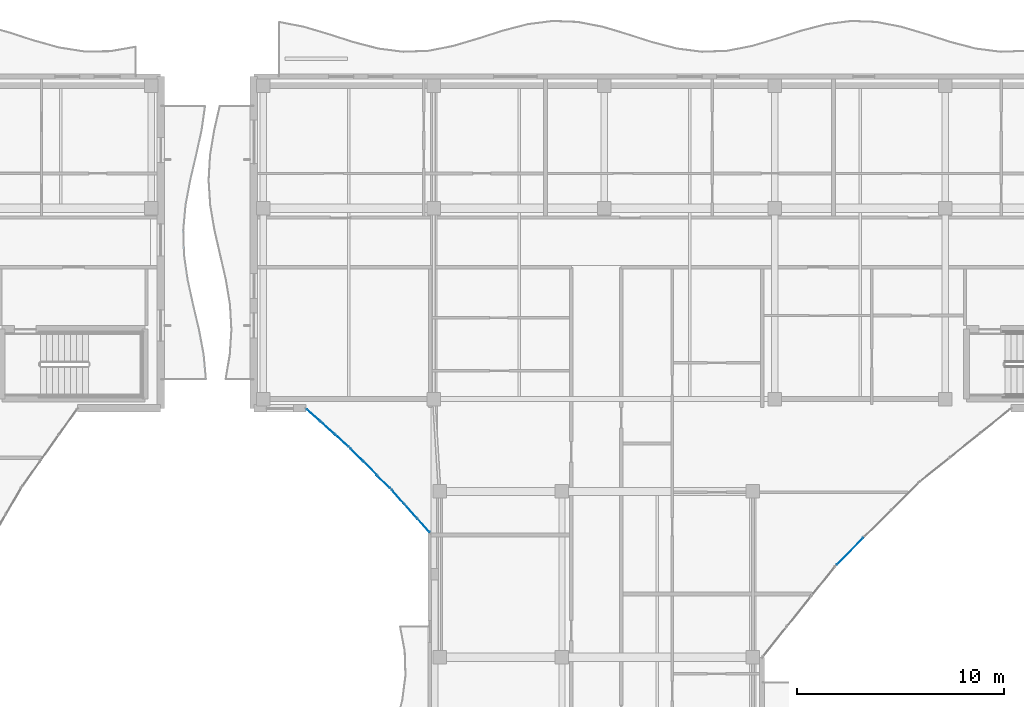
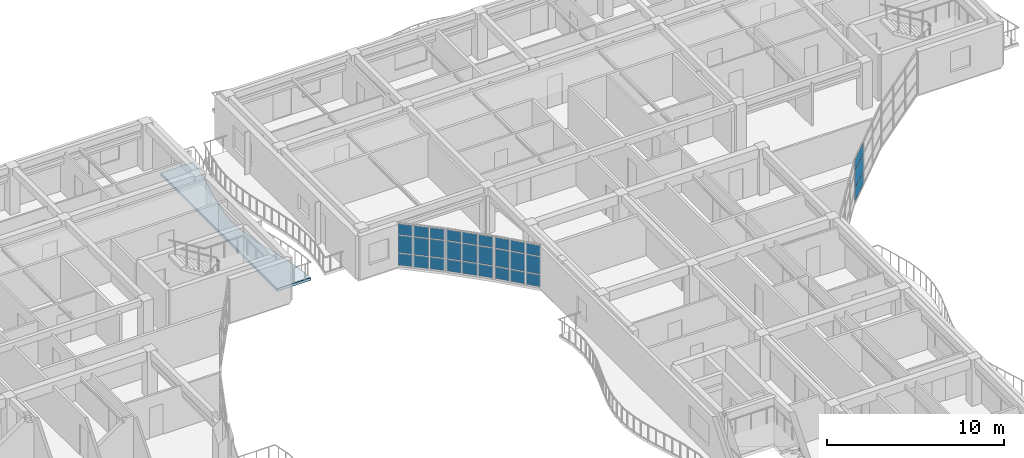
# One storey, part 39 of 89: 30 plates, 1 slab, 4 elements without a shape of their own.
"""IFC4 building model written with IfcOpenShell, lengths in metres."""

import ifcopenshell
import ifcopenshell.guid

model = None  # the IFC model being written
_history = None  # IfcOwnerHistory: only IFC2X3 demands one
_inside = {}  # id of a spatial element -> (the spatial element, [elements in it])
_under = {}  # id of a project, library or spatial element -> (it, [spatial elements below it])
_declared = {}  # id of a project -> (the project, [libraries it declares])
_typed = {}  # id of a type object -> (the type object, [elements of that type])
_made_of = {}  # id of a material, layer set ... -> (it, [elements and type objects made of it])


def new_model(schema):
    """Start an empty IFC model of exactly this schema.

    Asked for "IFC4X3", IfcOpenShell would pick the latest addendum, in which some entities
    have other attributes; the version numbers below select the first issue.
    IFC2X3 requires an IfcOwnerHistory on every rooted entity: one is made here for all.
    """
    global model, _history
    if schema == "IFC4X3":
        model = ifcopenshell.file(schema_version=(4, 3, 0, 0))
    else:
        model = ifcopenshell.file(schema=schema)
    _inside.clear()
    _under.clear()
    _declared.clear()
    _typed.clear()
    _made_of.clear()
    _history = None
    if model.schema == "IFC2X3":
        org = make("IfcOrganization", Name="unknown")
        user = make(
            "IfcPersonAndOrganization",
            ThePerson=make("IfcPerson", FamilyName="unknown"),
            TheOrganization=org,
        )
        app = make(
            "IfcApplication",
            ApplicationDeveloper=org,
            Version="unknown",
            ApplicationFullName="unknown",
            ApplicationIdentifier="unknown",
        )
        _history = make(
            "IfcOwnerHistory",
            OwningUser=user,
            OwningApplication=app,
            ChangeAction="ADDED",
            CreationDate=0,
        )
    return model


def make(cls, **values):
    """One entity of the class cls with the attributes given. An attribute that is None is left unset."""
    return model.create_entity(
        cls, **{name: value for name, value in values.items() if value is not None}
    )


def rooted(cls, **values):
    """An entity with a GlobalId (a new one), such as an element, a storey or a relation."""
    return make(cls, GlobalId=ifcopenshell.guid.new(), OwnerHistory=_history, **values)


def si_unit(unit_type, name, prefix=None):
    """IfcSIUnit, for example si_unit("LENGTHUNIT", "METRE", prefix="MILLI")."""
    return make("IfcSIUnit", UnitType=unit_type, Prefix=prefix, Name=name)


def assignment(units):
    """IfcUnitAssignment: the units of a project."""
    return None if units is None else make("IfcUnitAssignment", Units=units)


def point(xyz):
    """IfcCartesianPoint."""
    return None if xyz is None else make("IfcCartesianPoint", Coordinates=xyz)


def direction(xyz):
    """IfcDirection."""
    return None if xyz is None else make("IfcDirection", DirectionRatios=xyz)


def frame(location, z_axis=None, x_axis=None):
    """IfcAxis2Placement3D, a coordinate frame: its origin and axes. An axis left out is left unset."""
    return make(
        "IfcAxis2Placement3D",
        Location=point(location),
        Axis=direction(z_axis),
        RefDirection=direction(x_axis),
    )


def frame_2d(location, x_axis=None):
    """IfcAxis2Placement2D, a coordinate frame in the plane: its origin and x axis."""
    return make(
        "IfcAxis2Placement2D", Location=point(location), RefDirection=direction(x_axis)
    )


def origin():
    """The frame at (0, 0, 0) with its axes left unset."""
    return frame((0.0, 0.0, 0.0))


def origin_2d():
    """The frame at (0, 0) in the plane with its x axis left unset."""
    return frame_2d((0.0, 0.0))


def place(relative_to, where):
    """IfcLocalPlacement: puts the frame where relative to a parent placement (None: the world)."""
    return make(
        "IfcLocalPlacement", PlacementRelTo=relative_to, RelativePlacement=where
    )


def context(
    kind, dimensions, precision=None, world=None, true_north=None, identifier=None
):
    """IfcGeometricRepresentationContext, for example the 3D "Model" context."""
    return make(
        "IfcGeometricRepresentationContext",
        ContextIdentifier=identifier,
        ContextType=kind,
        CoordinateSpaceDimension=dimensions,
        Precision=precision,
        WorldCoordinateSystem=world,
        TrueNorth=true_north,
    )


def subcontext(parent, identifier, kind, view, scale=None):
    """IfcGeometricRepresentationSubContext, for example "Body" below "Model"."""
    return make(
        "IfcGeometricRepresentationSubContext",
        ContextIdentifier=identifier,
        ContextType=kind,
        ParentContext=parent,
        TargetScale=scale,
        TargetView=view,
    )


def project(units=None, contexts=None):
    """IfcProject with its units and contexts."""
    return rooted(
        "IfcProject",
        Name="project",
        RepresentationContexts=contexts,
        UnitsInContext=assignment(units),
    )


def spatial(cls, under=None, at=None, **own):
    """A site, building, storey or space (cls), placed at a placement, below another one or the project."""
    s = rooted(cls, ObjectPlacement=at, **own)
    if under is not None:
        _under.setdefault(under.id(), (under, []))[1].append(s)
    return s


def polyline(points):
    """IfcPolyline through the points."""
    return make("IfcPolyline", Points=[point(p) for p in points])


def profile(cls, at=None, kind="AREA", **sizes):
    """A parametric profile (cls). Its sizes go by their IFC names, for example OverallWidth=200.0."""
    return make(cls, ProfileType=kind, Position=at, **sizes)


def rectangle(**sizes):
    """IfcRectangleProfileDef."""
    return profile("IfcRectangleProfileDef", **sizes)


def outline(outer, holes=None, kind="AREA"):
    """IfcArbitraryClosedProfileDef: a profile drawn as a closed curve; with holes, ...WithVoids."""
    if holes is None:
        return make("IfcArbitraryClosedProfileDef", ProfileType=kind, OuterCurve=outer)
    return make(
        "IfcArbitraryProfileDefWithVoids",
        ProfileType=kind,
        OuterCurve=outer,
        InnerCurves=holes,
    )


def extrude(swept, where, along, depth):
    """IfcExtrudedAreaSolid: the profile swept, set in the frame where, extruded along a direction by depth."""
    return make(
        "IfcExtrudedAreaSolid",
        SweptArea=swept,
        Position=where,
        ExtrudedDirection=direction(along),
        Depth=depth,
    )


def shape(context_of_items, identifier, shape_type, items):
    """IfcShapeRepresentation: the items that make up one representation, for example the "Body"."""
    return make(
        "IfcShapeRepresentation",
        ContextOfItems=context_of_items,
        RepresentationIdentifier=identifier,
        RepresentationType=shape_type,
        Items=items,
    )


def material(Name=None, Category=None):
    """IfcMaterial."""
    return make("IfcMaterial", Name=Name, Category=Category)


def layer(
    of_material, thickness, ventilated=None, Name=None, Category=None, Priority=None
):
    """IfcMaterialLayer: one layer of a wall or slab, of a material (None: an air gap)."""
    return make(
        "IfcMaterialLayer",
        Material=of_material,
        LayerThickness=thickness,
        IsVentilated=ventilated,
        Name=Name,
        Category=Category,
        Priority=Priority,
    )


def layer_set(layers, Name=None):
    """IfcMaterialLayerSet."""
    return make("IfcMaterialLayerSet", MaterialLayers=layers, LayerSetName=Name)


def made_of(thing, what):
    """Note that an element or type object is made of a material, layer set ...; save() writes the relation."""
    if what is not None:
        _made_of.setdefault(what.id(), (what, []))[1].append(thing)
    return thing


def type_object(cls, material=None, **own):
    """A type object (cls), such as IfcWallType, which elements share."""
    return made_of(rooted(cls, **own), material)


def element(
    cls,
    number,
    at=None,
    inside=None,
    cuts=None,
    type_object=None,
    material=None,
    context=None,
    identifier="Body",
    shape_type=None,
    held_by="IfcProductDefinitionShape",
    body=None,
    shapes=None,
    **own,
):
    """One element of the class cls, such as IfcWall. Its Tag is "e" and its number.

    at: its placement. inside: the storey or other place that contains it. cuts: it is an
    opening in that element (IfcRelVoidsElement). A single representation is given by context,
    identifier, shape_type and body (its items); several are given by shapes. held_by: the class
    of the entity that holds the representations. save() writes the other relations.
    """
    e = rooted(cls, Tag="e%d" % number, ObjectPlacement=at, **own)
    if body is not None:
        shapes = [shape(context, identifier, shape_type, body)]
    if shapes is not None:
        e.Representation = make(held_by, Representations=shapes)
    if inside is not None:
        _inside.setdefault(inside.id(), (inside, []))[1].append(e)
    if cuts is not None:
        rooted(
            "IfcRelVoidsElement", RelatingBuildingElement=cuts, RelatedOpeningElement=e
        )
    if type_object is not None:
        _typed.setdefault(type_object.id(), (type_object, []))[1].append(e)
    return made_of(e, material)


def aggregate(whole, parts):
    """IfcRelAggregates: a whole, such as a stair, and the parts it consists of."""
    return rooted("IfcRelAggregates", RelatingObject=whole, RelatedObjects=parts)


def save(model, path):
    """Write the relations noted so far, then the file.

    IfcRelAggregates (storeys below a building ...), IfcRelContainedInSpatialStructure (elements
    in a storey), IfcRelDefinesByType, IfcRelAssociatesMaterial and IfcRelDeclares: one each for
    every whole, place, type object, material and project.
    """
    for whole, parts in _under.values():
        aggregate(whole, parts)
    for where, things in _inside.values():
        rooted(
            "IfcRelContainedInSpatialStructure",
            RelatedElements=things,
            RelatingStructure=where,
        )
    for kind, things in _typed.values():
        rooted("IfcRelDefinesByType", RelatedObjects=things, RelatingType=kind)
    for what, things in _made_of.values():
        rooted("IfcRelAssociatesMaterial", RelatedObjects=things, RelatingMaterial=what)
    for by, libraries in _declared.values():
        rooted("IfcRelDeclares", RelatingContext=by, RelatedDefinitions=libraries)
    model.write(path)


model = new_model("IFC4")

# Units and contexts
model_context = context("Model", 3, precision=1e-05, world=origin(), true_north=direction((0.0, 1.0)))
body_context = subcontext(model_context, "Body", "Model", "MODEL_VIEW")
ifc_project = project(units=[si_unit("LENGTHUNIT", "METRE"), si_unit("AREAUNIT", "SQUARE_METRE"), si_unit("VOLUMEUNIT", "CUBIC_METRE"), si_unit("PLANEANGLEUNIT", "RADIAN"), si_unit("MASSUNIT", "GRAM", prefix="KILO")], contexts=[model_context])

# Site, building, storey
site_placement = place(None, origin())
site = spatial("IfcSite", under=ifc_project, at=site_placement, CompositionType="ELEMENT")
building_placement = place(site_placement, origin())
building = spatial("IfcBuilding", under=site, at=building_placement, Name="Keldmere Railside Commons", CompositionType="ELEMENT")
storey_placement = place(building_placement, frame((0.0, 0.0, 7.360107421875)))
storey = spatial("IfcBuildingStorey", under=building, at=storey_placement, Name="L02", CompositionType="ELEMENT", Elevation=7.360107421875)

# Curtain wall, plates
ifc_material_1 = material(Name="Thermally Broken Aluminium", Category="aluminium")
ifc_layer_1 = layer(ifc_material_1, 0.159912109375, Name="Court Chord Wintergarden CW 4800x2850")
ifc_layer_set_1 = layer_set([ifc_layer_1], Name="Thermally Broken Aluminium")
curtain_wall_type_1 = type_object("IfcCurtainWallType", Name="Court Chord Wintergarden CW 4800x2850", PredefinedType="NOTDEFINED", material=ifc_layer_set_1)
curtain_wall_1_placement = place(storey_placement, origin())
curtain_wall_1 = element("IfcCurtainWall", 1, at=curtain_wall_1_placement, inside=storey, type_object=curtain_wall_type_1, Name="CW-12 CW-L02-040", PredefinedType="NOTDEFINED")
ifc_material_2 = material(Name="Low-E Insulated Double Glazing", Category="glass")
ifc_layer_2 = layer(ifc_material_2, 0.033935546875, Name="Acoustic Laminated Vision Panel 34")
ifc_layer_set_2 = layer_set([ifc_layer_2], Name="Low-E Insulated Double Glazing")
plate_type_1 = type_object("IfcPlateType", Name="Acoustic Laminated Vision Panel 34", PredefinedType="CURTAIN_PANEL", material=ifc_layer_set_2)
plate_1_placement = place(storey_placement, frame((43.74462890625, 98.435791015625, 0.06494140625), z_axis=(0.0, 0.0, 1.0), x_axis=(-0.744557333277, 0.667558519879, 0.0)))
plate_1 = element("IfcPlate", 2, at=plate_1_placement, type_object=plate_type_1, Name="CW-12 panel 1.1", PredefinedType="CURTAIN_PANEL", context=body_context, shape_type="SweptSolid", body=[
    extrude(rectangle(XDim=0.84619140625, YDim=0.033935546875, at=origin_2d()), origin(), (0.0, 0.0, 1.0), 0.802490234375),
])
plate_2_placement = place(storey_placement, frame((43.74462890625, 98.435791015625, 0.932373046875), z_axis=(0.0, 0.0, 1.0), x_axis=(-0.744557333277, 0.667558519879, 0.0)))
plate_2 = element("IfcPlate", 3, at=plate_2_placement, type_object=plate_type_1, Name="CW-12 panel 1.2", PredefinedType="CURTAIN_PANEL", context=body_context, shape_type="SweptSolid", body=[
    extrude(rectangle(XDim=0.84619140625, YDim=0.033935546875, at=origin_2d()), origin(), (0.0, 0.0, 1.0), 1.18505859375),
])
plate_3_placement = place(storey_placement, frame((43.74462890625, 98.435791015625, 2.182373046875), z_axis=(0.0, 0.0, 1.0), x_axis=(-0.744557333277, 0.667558519879, 0.0)))
plate_3 = element("IfcPlate", 4, at=plate_3_placement, type_object=plate_type_1, Name="CW-12 panel 1.3", PredefinedType="CURTAIN_PANEL", context=body_context, shape_type="SweptSolid", body=[
    extrude(rectangle(XDim=0.84619140625, YDim=0.033935546875, at=origin_2d()), origin(), (0.0, 0.0, 1.0), 0.732421875),
])
plate_4_placement = place(storey_placement, frame((43.053955078125, 99.054931640625, 0.06494140625), z_axis=(0.0, 0.0, 1.0), x_axis=(-0.744557333277, 0.667558519879, 0.0)))
plate_4 = element("IfcPlate", 5, at=plate_4_placement, type_object=plate_type_1, Name="CW-12 panel 2.1", PredefinedType="CURTAIN_PANEL", context=body_context, shape_type="SweptSolid", body=[
    extrude(rectangle(XDim=0.878662109375, YDim=0.033935546875, at=origin_2d()), origin(), (0.0, 0.0, 1.0), 0.802490234375),
])
plate_5_placement = place(storey_placement, frame((43.053955078125, 99.054931640625, 0.932373046875), z_axis=(0.0, 0.0, 1.0), x_axis=(-0.744557333277, 0.667558519879, 0.0)))
plate_5 = element("IfcPlate", 6, at=plate_5_placement, type_object=plate_type_1, Name="CW-12 panel 2.2", PredefinedType="CURTAIN_PANEL", context=body_context, shape_type="SweptSolid", body=[
    extrude(rectangle(XDim=0.878662109375, YDim=0.033935546875, at=origin_2d()), origin(), (0.0, 0.0, 1.0), 1.18505859375),
])
plate_6_placement = place(storey_placement, frame((43.053955078125, 99.054931640625, 2.182373046875), z_axis=(0.0, 0.0, 1.0), x_axis=(-0.744557333277, 0.667558519879, 0.0)))
plate_6 = element("IfcPlate", 7, at=plate_6_placement, type_object=plate_type_1, Name="CW-12 panel 2.3", PredefinedType="CURTAIN_PANEL", context=body_context, shape_type="SweptSolid", body=[
    extrude(rectangle(XDim=0.878662109375, YDim=0.033935546875, at=origin_2d()), origin(), (0.0, 0.0, 1.0), 0.732421875),
])
plate_7_placement = place(storey_placement, frame((42.363525390625, 99.674072265625, 0.06494140625), z_axis=(0.0, 0.0, 1.0), x_axis=(-0.744557333277, 0.667558519879, 0.0)))
plate_7 = element("IfcPlate", 8, at=plate_7_placement, type_object=plate_type_1, Name="CW-12 panel 3.1", PredefinedType="CURTAIN_PANEL", context=body_context, shape_type="SweptSolid", body=[
    extrude(rectangle(XDim=0.84619140625, YDim=0.033935546875, at=origin_2d()), origin(), (0.0, 0.0, 1.0), 0.802490234375),
])
plate_8_placement = place(storey_placement, frame((42.363525390625, 99.674072265625, 0.932373046875), z_axis=(0.0, 0.0, 1.0), x_axis=(-0.744557333277, 0.667558519879, 0.0)))
plate_8 = element("IfcPlate", 9, at=plate_8_placement, type_object=plate_type_1, Name="CW-12 panel 3.2", PredefinedType="CURTAIN_PANEL", context=body_context, shape_type="SweptSolid", body=[
    extrude(rectangle(XDim=0.84619140625, YDim=0.033935546875, at=origin_2d()), origin(), (0.0, 0.0, 1.0), 1.18505859375),
])
plate_9_placement = place(storey_placement, frame((42.363525390625, 99.674072265625, 2.182373046875), z_axis=(0.0, 0.0, 1.0), x_axis=(-0.744557333277, 0.667558519879, 0.0)))
plate_9 = element("IfcPlate", 10, at=plate_9_placement, type_object=plate_type_1, Name="CW-12 panel 3.3", PredefinedType="CURTAIN_PANEL", context=body_context, shape_type="SweptSolid", body=[
    extrude(rectangle(XDim=0.84619140625, YDim=0.033935546875, at=origin_2d()), origin(), (0.0, 0.0, 1.0), 0.732421875),
])
aggregate(curtain_wall_1, [plate_1, plate_2, plate_3, plate_4, plate_5, plate_6, plate_7, plate_8, plate_9])

ifc_layer_3 = layer(ifc_material_1, 0.159912109375, Name="Court Chord Wintergarden CW 5400x2850")
ifc_layer_set_3 = layer_set([ifc_layer_3], Name="Thermally Broken Aluminium")
curtain_wall_type_2 = type_object("IfcCurtainWallType", Name="Court Chord Wintergarden CW 5400x2850", PredefinedType="NOTDEFINED", material=ifc_layer_set_3)
curtain_wall_2_placement = place(storey_placement, origin())
curtain_wall_2 = element("IfcCurtainWall", 11, at=curtain_wall_2_placement, inside=storey, type_object=curtain_wall_type_2, Name="CW-13 CW-L02-038", PredefinedType="NOTDEFINED")
ifc_layer_4 = layer(ifc_material_2, 0.031982421875, Name="Clerestory Solar-Control Vision Panel 32")
ifc_layer_set_4 = layer_set([ifc_layer_4], Name="Low-E Insulated Double Glazing")
plate_type_2 = type_object("IfcPlateType", Name="Clerestory Solar-Control Vision Panel 32", PredefinedType="CURTAIN_PANEL", material=ifc_layer_set_4)
plate_10_placement = place(storey_placement, frame((68.23486328125, 93.11083984375, 0.06494140625), z_axis=(0.0, 0.0, 1.0), x_axis=(-0.707106781187, -0.707106781187, 0.0)))
plate_10 = element("IfcPlate", 12, at=plate_10_placement, type_object=plate_type_2, Name="CW-13 panel 3.1", PredefinedType="CURTAIN_PANEL", context=body_context, shape_type="SweptSolid", body=[
    extrude(rectangle(XDim=1.795654296875, YDim=0.031982421875, at=origin_2d()), origin(), (0.0, 0.0, 1.0), 0.802490234375),
])
plate_11_placement = place(storey_placement, frame((68.23486328125, 93.11083984375, 0.932373046875), z_axis=(0.0, 0.0, 1.0), x_axis=(-0.707106781187, -0.707106781187, 0.0)))
plate_11 = element("IfcPlate", 13, at=plate_11_placement, type_object=plate_type_2, Name="CW-13 panel 3.2", PredefinedType="CURTAIN_PANEL", context=body_context, shape_type="SweptSolid", body=[
    extrude(rectangle(XDim=1.795654296875, YDim=0.031982421875, at=origin_2d()), origin(), (0.0, 0.0, 1.0), 1.18505859375),
])
plate_12_placement = place(storey_placement, frame((68.23486328125, 93.11083984375, 2.182373046875), z_axis=(0.0, 0.0, 1.0), x_axis=(-0.707106781187, -0.707106781187, 0.0)))
plate_12 = element("IfcPlate", 14, at=plate_12_placement, type_object=plate_type_2, Name="CW-13 panel 3.3", PredefinedType="CURTAIN_PANEL", context=body_context, shape_type="SweptSolid", body=[
    extrude(rectangle(XDim=1.795654296875, YDim=0.031982421875, at=origin_2d()), origin(), (0.0, 0.0, 1.0), 0.732421875),
])
aggregate(curtain_wall_2, [plate_10, plate_11, plate_12])

curtain_wall_3_placement = place(storey_placement, origin())
curtain_wall_3 = element("IfcCurtainWall", 15, at=curtain_wall_3_placement, inside=storey, type_object=curtain_wall_type_2, Name="CW-13 CW-L02-041", PredefinedType="NOTDEFINED")
plate_13_placement = place(storey_placement, frame((45.764892578125, 96.453125, 0.06494140625), z_axis=(0.0, 0.0, 1.0), x_axis=(-0.707106781187, 0.707106781187, 0.0)))
plate_13 = element("IfcPlate", 16, at=plate_13_placement, type_object=plate_type_2, Name="CW-13 panel 1.1", PredefinedType="CURTAIN_PANEL", context=body_context, shape_type="SweptSolid", body=[
    extrude(rectangle(XDim=0.84619140625, YDim=0.031982421875, at=origin_2d()), origin(), (0.0, 0.0, 1.0), 0.802490234375),
])
plate_14_placement = place(storey_placement, frame((45.764892578125, 96.453125, 0.932373046875), z_axis=(0.0, 0.0, 1.0), x_axis=(-0.707106781187, 0.707106781187, 0.0)))
plate_14 = element("IfcPlate", 17, at=plate_14_placement, type_object=plate_type_2, Name="CW-13 panel 1.2", PredefinedType="CURTAIN_PANEL", context=body_context, shape_type="SweptSolid", body=[
    extrude(rectangle(XDim=0.84619140625, YDim=0.031982421875, at=origin_2d()), origin(), (0.0, 0.0, 1.0), 1.18505859375),
])
plate_15_placement = place(storey_placement, frame((45.764892578125, 96.453125, 2.182373046875), z_axis=(0.0, 0.0, 1.0), x_axis=(-0.707106781187, 0.707106781187, 0.0)))
plate_15 = element("IfcPlate", 18, at=plate_15_placement, type_object=plate_type_2, Name="CW-13 panel 1.3", PredefinedType="CURTAIN_PANEL", context=body_context, shape_type="SweptSolid", body=[
    extrude(rectangle(XDim=0.84619140625, YDim=0.031982421875, at=origin_2d()), origin(), (0.0, 0.0, 1.0), 0.732421875),
])
plate_16_placement = place(storey_placement, frame((45.10888671875, 97.10888671875, 0.06494140625), z_axis=(0.0, 0.0, 1.0), x_axis=(-0.707106781187, 0.707106781187, 0.0)))
plate_16 = element("IfcPlate", 19, at=plate_16_placement, type_object=plate_type_2, Name="CW-13 panel 2.1", PredefinedType="CURTAIN_PANEL", context=body_context, shape_type="SweptSolid", body=[
    extrude(rectangle(XDim=0.878662109375, YDim=0.031982421875, at=origin_2d()), origin(), (0.0, 0.0, 1.0), 0.802490234375),
])
plate_17_placement = place(storey_placement, frame((45.10888671875, 97.10888671875, 0.932373046875), z_axis=(0.0, 0.0, 1.0), x_axis=(-0.707106781187, 0.707106781187, 0.0)))
plate_17 = element("IfcPlate", 20, at=plate_17_placement, type_object=plate_type_2, Name="CW-13 panel 2.2", PredefinedType="CURTAIN_PANEL", context=body_context, shape_type="SweptSolid", body=[
    extrude(rectangle(XDim=0.878662109375, YDim=0.031982421875, at=origin_2d()), origin(), (0.0, 0.0, 1.0), 1.18505859375),
])
plate_18_placement = place(storey_placement, frame((45.10888671875, 97.10888671875, 2.182373046875), z_axis=(0.0, 0.0, 1.0), x_axis=(-0.707106781187, 0.707106781187, 0.0)))
plate_18 = element("IfcPlate", 21, at=plate_18_placement, type_object=plate_type_2, Name="CW-13 panel 2.3", PredefinedType="CURTAIN_PANEL", context=body_context, shape_type="SweptSolid", body=[
    extrude(rectangle(XDim=0.878662109375, YDim=0.031982421875, at=origin_2d()), origin(), (0.0, 0.0, 1.0), 0.732421875),
])
plate_19_placement = place(storey_placement, frame((44.453125, 97.764892578125, 0.06494140625), z_axis=(0.0, 0.0, 1.0), x_axis=(-0.707106781187, 0.707106781187, 0.0)))
plate_19 = element("IfcPlate", 22, at=plate_19_placement, type_object=plate_type_2, Name="CW-13 panel 3.1", PredefinedType="CURTAIN_PANEL", context=body_context, shape_type="SweptSolid", body=[
    extrude(rectangle(XDim=0.84619140625, YDim=0.031982421875, at=origin_2d()), origin(), (0.0, 0.0, 1.0), 0.802490234375),
])
plate_20_placement = place(storey_placement, frame((44.453125, 97.764892578125, 0.932373046875), z_axis=(0.0, 0.0, 1.0), x_axis=(-0.707106781187, 0.707106781187, 0.0)))
plate_20 = element("IfcPlate", 23, at=plate_20_placement, type_object=plate_type_2, Name="CW-13 panel 3.2", PredefinedType="CURTAIN_PANEL", context=body_context, shape_type="SweptSolid", body=[
    extrude(rectangle(XDim=0.84619140625, YDim=0.031982421875, at=origin_2d()), origin(), (0.0, 0.0, 1.0), 1.18505859375),
])
plate_21_placement = place(storey_placement, frame((44.453125, 97.764892578125, 2.182373046875), z_axis=(0.0, 0.0, 1.0), x_axis=(-0.707106781187, 0.707106781187, 0.0)))
plate_21 = element("IfcPlate", 24, at=plate_21_placement, type_object=plate_type_2, Name="CW-13 panel 3.3", PredefinedType="CURTAIN_PANEL", context=body_context, shape_type="SweptSolid", body=[
    extrude(rectangle(XDim=0.84619140625, YDim=0.031982421875, at=origin_2d()), origin(), (0.0, 0.0, 1.0), 0.732421875),
])
aggregate(curtain_wall_3, [plate_13, plate_14, plate_15, plate_16, plate_17, plate_18, plate_19, plate_20, plate_21])

curtain_wall_4_placement = place(storey_placement, origin())
curtain_wall_4 = element("IfcCurtainWall", 25, at=curtain_wall_4_placement, inside=storey, type_object=curtain_wall_type_1, Name="CW-12 CW-L02-042", PredefinedType="NOTDEFINED")
ifc_layer_5 = layer(ifc_material_2, 0.028076171875, Name="Low-E Vision Glazing Panel 28")
ifc_layer_set_5 = layer_set([ifc_layer_5], Name="Low-E Insulated Double Glazing")
plate_type_3 = type_object("IfcPlateType", Name="Low-E Vision Glazing Panel 28", PredefinedType="CURTAIN_PANEL", material=ifc_layer_set_5)
plate_22_placement = place(storey_placement, frame((47.674072265625, 94.363525390625, 0.06494140625), z_axis=(0.0, 0.0, 1.0), x_axis=(-0.667558519879, 0.744557333277, 0.0)))
plate_22 = element("IfcPlate", 26, at=plate_22_placement, type_object=plate_type_3, Name="CW-12 panel 1.1", PredefinedType="CURTAIN_PANEL", context=body_context, shape_type="SweptSolid", body=[
    extrude(rectangle(XDim=0.84619140625, YDim=0.028076171875, at=origin_2d()), origin(), (0.0, 0.0, 1.0), 0.802490234375),
])
plate_23_placement = place(storey_placement, frame((47.674072265625, 94.363525390625, 0.932373046875), z_axis=(0.0, 0.0, 1.0), x_axis=(-0.667558519879, 0.744557333277, 0.0)))
plate_23 = element("IfcPlate", 27, at=plate_23_placement, type_object=plate_type_3, Name="CW-12 panel 1.2", PredefinedType="CURTAIN_PANEL", context=body_context, shape_type="SweptSolid", body=[
    extrude(rectangle(XDim=0.84619140625, YDim=0.028076171875, at=origin_2d()), origin(), (0.0, 0.0, 1.0), 1.18505859375),
])
plate_24_placement = place(storey_placement, frame((47.674072265625, 94.363525390625, 2.182373046875), z_axis=(0.0, 0.0, 1.0), x_axis=(-0.667558519879, 0.744557333277, 0.0)))
plate_24 = element("IfcPlate", 28, at=plate_24_placement, type_object=plate_type_3, Name="CW-12 panel 1.3", PredefinedType="CURTAIN_PANEL", context=body_context, shape_type="SweptSolid", body=[
    extrude(rectangle(XDim=0.84619140625, YDim=0.028076171875, at=origin_2d()), origin(), (0.0, 0.0, 1.0), 0.732421875),
])
plate_25_placement = place(storey_placement, frame((47.054931640625, 95.053955078125, 0.06494140625), z_axis=(0.0, 0.0, 1.0), x_axis=(-0.667558519879, 0.744557333277, 0.0)))
plate_25 = element("IfcPlate", 29, at=plate_25_placement, type_object=plate_type_3, Name="CW-12 panel 2.1", PredefinedType="CURTAIN_PANEL", context=body_context, shape_type="SweptSolid", body=[
    extrude(rectangle(XDim=0.878662109375, YDim=0.028076171875, at=origin_2d()), origin(), (0.0, 0.0, 1.0), 0.802490234375),
])
plate_26_placement = place(storey_placement, frame((47.054931640625, 95.053955078125, 0.932373046875), z_axis=(0.0, 0.0, 1.0), x_axis=(-0.667558519879, 0.744557333277, 0.0)))
plate_26 = element("IfcPlate", 30, at=plate_26_placement, type_object=plate_type_3, Name="CW-12 panel 2.2", PredefinedType="CURTAIN_PANEL", context=body_context, shape_type="SweptSolid", body=[
    extrude(rectangle(XDim=0.878662109375, YDim=0.028076171875, at=origin_2d()), origin(), (0.0, 0.0, 1.0), 1.18505859375),
])
plate_27_placement = place(storey_placement, frame((47.054931640625, 95.053955078125, 2.182373046875), z_axis=(0.0, 0.0, 1.0), x_axis=(-0.667558519879, 0.744557333277, 0.0)))
plate_27 = element("IfcPlate", 31, at=plate_27_placement, type_object=plate_type_3, Name="CW-12 panel 2.3", PredefinedType="CURTAIN_PANEL", context=body_context, shape_type="SweptSolid", body=[
    extrude(rectangle(XDim=0.878662109375, YDim=0.028076171875, at=origin_2d()), origin(), (0.0, 0.0, 1.0), 0.732421875),
])
plate_28_placement = place(storey_placement, frame((46.435791015625, 95.74462890625, 0.06494140625), z_axis=(0.0, 0.0, 1.0), x_axis=(-0.667558519879, 0.744557333277, 0.0)))
plate_28 = element("IfcPlate", 32, at=plate_28_placement, type_object=plate_type_3, Name="CW-12 panel 3.1", PredefinedType="CURTAIN_PANEL", context=body_context, shape_type="SweptSolid", body=[
    extrude(rectangle(XDim=0.84619140625, YDim=0.028076171875, at=origin_2d()), origin(), (0.0, 0.0, 1.0), 0.802490234375),
])
plate_29_placement = place(storey_placement, frame((46.435791015625, 95.74462890625, 0.932373046875), z_axis=(0.0, 0.0, 1.0), x_axis=(-0.667558519879, 0.744557333277, 0.0)))
plate_29 = element("IfcPlate", 33, at=plate_29_placement, type_object=plate_type_3, Name="CW-12 panel 3.2", PredefinedType="CURTAIN_PANEL", context=body_context, shape_type="SweptSolid", body=[
    extrude(rectangle(XDim=0.84619140625, YDim=0.028076171875, at=origin_2d()), origin(), (0.0, 0.0, 1.0), 1.18505859375),
])
plate_30_placement = place(storey_placement, frame((46.435791015625, 95.74462890625, 2.182373046875), z_axis=(0.0, 0.0, 1.0), x_axis=(-0.667558519879, 0.744557333277, 0.0)))
plate_30 = element("IfcPlate", 34, at=plate_30_placement, type_object=plate_type_3, Name="CW-12 panel 3.3", PredefinedType="CURTAIN_PANEL", context=body_context, shape_type="SweptSolid", body=[
    extrude(rectangle(XDim=0.84619140625, YDim=0.028076171875, at=origin_2d()), origin(), (0.0, 0.0, 1.0), 0.732421875),
])
aggregate(curtain_wall_4, [plate_22, plate_23, plate_24, plate_25, plate_26, plate_27, plate_28, plate_29, plate_30])

# Slab
ifc_material_3 = material(Name="White Precast Concrete H-35 (C35/45)", Category="concrete")
ifc_layer_6 = layer(ifc_material_3, 0.179931640625, Name="Sinusoidal Wave Balcony Slab 180")
ifc_layer_set_6 = layer_set([ifc_layer_6], Name="White Precast Concrete H-35 (C35/45)")
slab_type = type_object("IfcSlabType", Name="Sinusoidal Wave Balcony Slab 180", PredefinedType="FLOOR", material=ifc_layer_set_6)
slab_placement = place(storey_placement, frame((0.0, 0.0, -0.18017578125)))
element("IfcSlab", 35, at=slab_placement, inside=storey, type_object=slab_type, Name="WB-1 D L02 WE Wave Balcony", PredefinedType="FLOOR", context=body_context, shape_type="SweptSolid", body=[
    extrude(outline(polyline([(37.1953125, 101.39990234375), (37.0869140625, 102.60009765625), (36.861328125, 103.800048828125), (36.5791015625, 105.0), (36.31591796875, 106.199951171875), (36.14208984375, 107.39990234375), (36.1044921875, 108.60009765625), (36.213134765625, 109.800048828125), (36.438720703125, 111.0), (36.720947265625, 112.199951171875), (36.984130859375, 113.39990234375), (37.15771484375, 114.60009765625), (35.0, 114.60009765625), (35.0, 113.39990234375), (35.0, 112.199951171875), (35.0, 111.0), (35.0, 109.800048828125), (35.0, 108.60009765625), (35.0, 107.39990234375), (35.0, 106.199951171875), (35.0, 105.0), (35.0, 103.800048828125), (35.0, 102.60009765625), (35.0, 101.39990234375), (37.1953125, 101.39990234375)])), origin(), (0.0, 0.0, 1.0), 0.18017578125),
])

save(model, "model.ifc")
